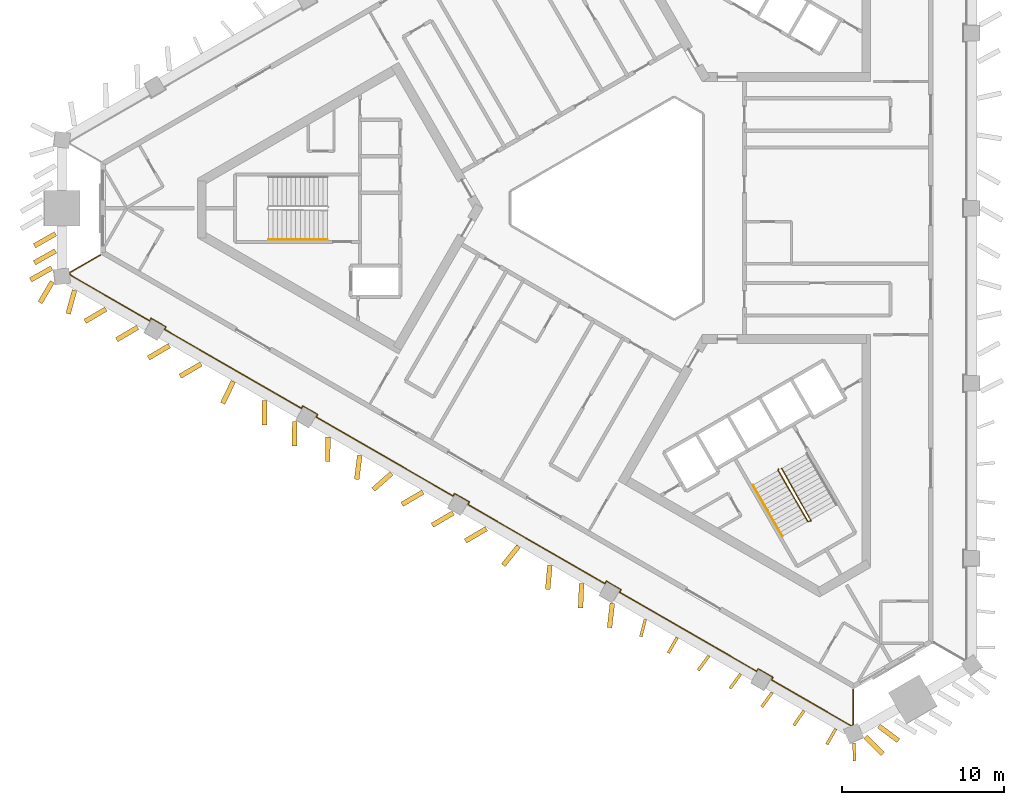
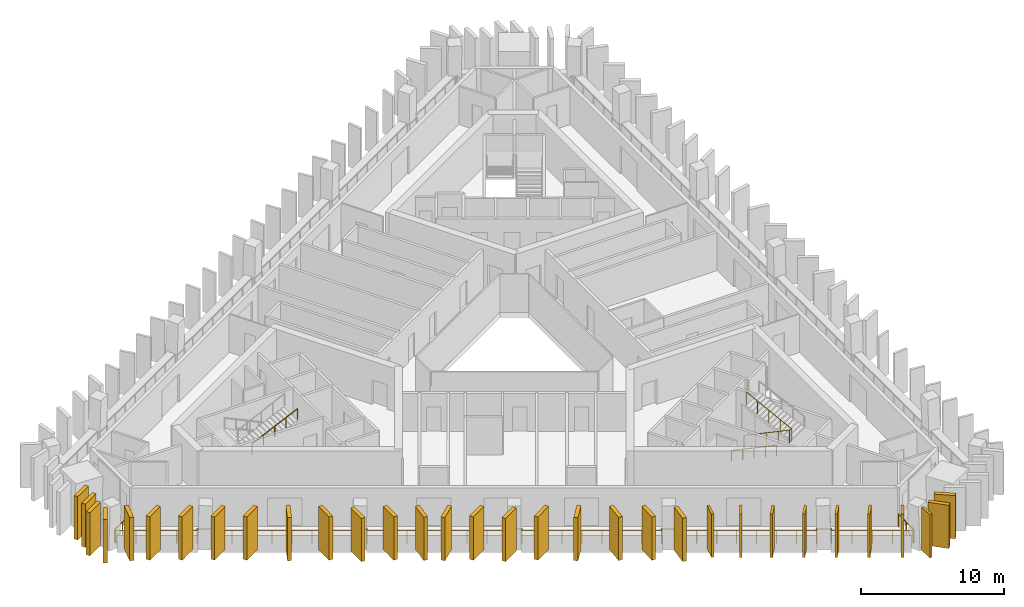
# One storey, part 8 of 10: 32 shading devices, 4 railings.
"""IFC4 building model written with IfcOpenShell, lengths in metres."""

import ifcopenshell
import ifcopenshell.guid

model = None  # the IFC model being written
_history = None  # IfcOwnerHistory: only IFC2X3 demands one
_inside = {}  # id of a spatial element -> (the spatial element, [elements in it])
_under = {}  # id of a project, library or spatial element -> (it, [spatial elements below it])
_declared = {}  # id of a project -> (the project, [libraries it declares])
_typed = {}  # id of a type object -> (the type object, [elements of that type])
_made_of = {}  # id of a material, layer set ... -> (it, [elements and type objects made of it])


def new_model(schema):
    """Start an empty IFC model of exactly this schema.

    Asked for "IFC4X3", IfcOpenShell would pick the latest addendum, in which some entities
    have other attributes; the version numbers below select the first issue.
    IFC2X3 requires an IfcOwnerHistory on every rooted entity: one is made here for all.
    """
    global model, _history
    if schema == "IFC4X3":
        model = ifcopenshell.file(schema_version=(4, 3, 0, 0))
    else:
        model = ifcopenshell.file(schema=schema)
    _inside.clear()
    _under.clear()
    _declared.clear()
    _typed.clear()
    _made_of.clear()
    _history = None
    if model.schema == "IFC2X3":
        org = make("IfcOrganization", Name="unknown")
        user = make(
            "IfcPersonAndOrganization",
            ThePerson=make("IfcPerson", FamilyName="unknown"),
            TheOrganization=org,
        )
        app = make(
            "IfcApplication",
            ApplicationDeveloper=org,
            Version="unknown",
            ApplicationFullName="unknown",
            ApplicationIdentifier="unknown",
        )
        _history = make(
            "IfcOwnerHistory",
            OwningUser=user,
            OwningApplication=app,
            ChangeAction="ADDED",
            CreationDate=0,
        )
    return model


def make(cls, **values):
    """One entity of the class cls with the attributes given. An attribute that is None is left unset."""
    return model.create_entity(
        cls, **{name: value for name, value in values.items() if value is not None}
    )


def rooted(cls, **values):
    """An entity with a GlobalId (a new one), such as an element, a storey or a relation."""
    return make(cls, GlobalId=ifcopenshell.guid.new(), OwnerHistory=_history, **values)


def si_unit(unit_type, name, prefix=None):
    """IfcSIUnit, for example si_unit("LENGTHUNIT", "METRE", prefix="MILLI")."""
    return make("IfcSIUnit", UnitType=unit_type, Prefix=prefix, Name=name)


def assignment(units):
    """IfcUnitAssignment: the units of a project."""
    return None if units is None else make("IfcUnitAssignment", Units=units)


def point(xyz):
    """IfcCartesianPoint."""
    return None if xyz is None else make("IfcCartesianPoint", Coordinates=xyz)


def direction(xyz):
    """IfcDirection."""
    return None if xyz is None else make("IfcDirection", DirectionRatios=xyz)


def frame(location, z_axis=None, x_axis=None):
    """IfcAxis2Placement3D, a coordinate frame: its origin and axes. An axis left out is left unset."""
    return make(
        "IfcAxis2Placement3D",
        Location=point(location),
        Axis=direction(z_axis),
        RefDirection=direction(x_axis),
    )


def frame_2d(location, x_axis=None):
    """IfcAxis2Placement2D, a coordinate frame in the plane: its origin and x axis."""
    return make(
        "IfcAxis2Placement2D", Location=point(location), RefDirection=direction(x_axis)
    )


def origin():
    """The frame at (0, 0, 0) with its axes left unset."""
    return frame((0.0, 0.0, 0.0))


def origin_2d():
    """The frame at (0, 0) in the plane with its x axis left unset."""
    return frame_2d((0.0, 0.0))


def place(relative_to, where):
    """IfcLocalPlacement: puts the frame where relative to a parent placement (None: the world)."""
    return make(
        "IfcLocalPlacement", PlacementRelTo=relative_to, RelativePlacement=where
    )


def context(
    kind, dimensions, precision=None, world=None, true_north=None, identifier=None
):
    """IfcGeometricRepresentationContext, for example the 3D "Model" context."""
    return make(
        "IfcGeometricRepresentationContext",
        ContextIdentifier=identifier,
        ContextType=kind,
        CoordinateSpaceDimension=dimensions,
        Precision=precision,
        WorldCoordinateSystem=world,
        TrueNorth=true_north,
    )


def subcontext(parent, identifier, kind, view, scale=None):
    """IfcGeometricRepresentationSubContext, for example "Body" below "Model"."""
    return make(
        "IfcGeometricRepresentationSubContext",
        ContextIdentifier=identifier,
        ContextType=kind,
        ParentContext=parent,
        TargetScale=scale,
        TargetView=view,
    )


def project(units=None, contexts=None):
    """IfcProject with its units and contexts."""
    return rooted(
        "IfcProject",
        Name="project",
        RepresentationContexts=contexts,
        UnitsInContext=assignment(units),
    )


def spatial(cls, under=None, at=None, **own):
    """A site, building, storey or space (cls), placed at a placement, below another one or the project."""
    s = rooted(cls, ObjectPlacement=at, **own)
    if under is not None:
        _under.setdefault(under.id(), (under, []))[1].append(s)
    return s


def profile(cls, at=None, kind="AREA", **sizes):
    """A parametric profile (cls). Its sizes go by their IFC names, for example OverallWidth=200.0."""
    return make(cls, ProfileType=kind, Position=at, **sizes)


def rectangle(**sizes):
    """IfcRectangleProfileDef."""
    return profile("IfcRectangleProfileDef", **sizes)


def circle(**sizes):
    """IfcCircleProfileDef."""
    return profile("IfcCircleProfileDef", **sizes)


def extrude(swept, where, along, depth):
    """IfcExtrudedAreaSolid: the profile swept, set in the frame where, extruded along a direction by depth."""
    return make(
        "IfcExtrudedAreaSolid",
        SweptArea=swept,
        Position=where,
        ExtrudedDirection=direction(along),
        Depth=depth,
    )


def shape(context_of_items, identifier, shape_type, items):
    """IfcShapeRepresentation: the items that make up one representation, for example the "Body"."""
    return make(
        "IfcShapeRepresentation",
        ContextOfItems=context_of_items,
        RepresentationIdentifier=identifier,
        RepresentationType=shape_type,
        Items=items,
    )


def material(Name=None, Category=None):
    """IfcMaterial."""
    return make("IfcMaterial", Name=Name, Category=Category)


def layer(
    of_material, thickness, ventilated=None, Name=None, Category=None, Priority=None
):
    """IfcMaterialLayer: one layer of a wall or slab, of a material (None: an air gap)."""
    return make(
        "IfcMaterialLayer",
        Material=of_material,
        LayerThickness=thickness,
        IsVentilated=ventilated,
        Name=Name,
        Category=Category,
        Priority=Priority,
    )


def layer_set(layers, Name=None):
    """IfcMaterialLayerSet."""
    return make("IfcMaterialLayerSet", MaterialLayers=layers, LayerSetName=Name)


def made_of(thing, what):
    """Note that an element or type object is made of a material, layer set ...; save() writes the relation."""
    if what is not None:
        _made_of.setdefault(what.id(), (what, []))[1].append(thing)
    return thing


def type_object(cls, material=None, **own):
    """A type object (cls), such as IfcWallType, which elements share."""
    return made_of(rooted(cls, **own), material)


def element(
    cls,
    number,
    at=None,
    inside=None,
    cuts=None,
    type_object=None,
    material=None,
    context=None,
    identifier="Body",
    shape_type=None,
    held_by="IfcProductDefinitionShape",
    body=None,
    shapes=None,
    **own,
):
    """One element of the class cls, such as IfcWall. Its Tag is "e" and its number.

    at: its placement. inside: the storey or other place that contains it. cuts: it is an
    opening in that element (IfcRelVoidsElement). A single representation is given by context,
    identifier, shape_type and body (its items); several are given by shapes. held_by: the class
    of the entity that holds the representations. save() writes the other relations.
    """
    e = rooted(cls, Tag="e%d" % number, ObjectPlacement=at, **own)
    if body is not None:
        shapes = [shape(context, identifier, shape_type, body)]
    if shapes is not None:
        e.Representation = make(held_by, Representations=shapes)
    if inside is not None:
        _inside.setdefault(inside.id(), (inside, []))[1].append(e)
    if cuts is not None:
        rooted(
            "IfcRelVoidsElement", RelatingBuildingElement=cuts, RelatedOpeningElement=e
        )
    if type_object is not None:
        _typed.setdefault(type_object.id(), (type_object, []))[1].append(e)
    return made_of(e, material)


def aggregate(whole, parts):
    """IfcRelAggregates: a whole, such as a stair, and the parts it consists of."""
    return rooted("IfcRelAggregates", RelatingObject=whole, RelatedObjects=parts)


def save(model, path):
    """Write the relations noted so far, then the file.

    IfcRelAggregates (storeys below a building ...), IfcRelContainedInSpatialStructure (elements
    in a storey), IfcRelDefinesByType, IfcRelAssociatesMaterial and IfcRelDeclares: one each for
    every whole, place, type object, material and project.
    """
    for whole, parts in _under.values():
        aggregate(whole, parts)
    for where, things in _inside.values():
        rooted(
            "IfcRelContainedInSpatialStructure",
            RelatedElements=things,
            RelatingStructure=where,
        )
    for kind, things in _typed.values():
        rooted("IfcRelDefinesByType", RelatedObjects=things, RelatingType=kind)
    for what, things in _made_of.values():
        rooted("IfcRelAssociatesMaterial", RelatedObjects=things, RelatingMaterial=what)
    for by, libraries in _declared.values():
        rooted("IfcRelDeclares", RelatingContext=by, RelatedDefinitions=libraries)
    model.write(path)


model = new_model("IFC4")

# Units and contexts
model_context = context("Model", 3, precision=1e-05, world=origin(), true_north=direction((0.0, 1.0)))
body_context = subcontext(model_context, "Body", "Model", "MODEL_VIEW")
ifc_project = project(units=[si_unit("LENGTHUNIT", "METRE"), si_unit("AREAUNIT", "SQUARE_METRE"), si_unit("VOLUMEUNIT", "CUBIC_METRE"), si_unit("PLANEANGLEUNIT", "RADIAN"), si_unit("MASSUNIT", "GRAM", prefix="KILO")], contexts=[model_context])

# Site, building, storey
site_placement = place(None, origin())
site = spatial("IfcSite", under=ifc_project, at=site_placement, CompositionType="ELEMENT")
building_placement = place(site_placement, origin())
building = spatial("IfcBuilding", under=site, at=building_placement, Name="Jabali Bay Hotel Tower and Convention Centre", CompositionType="ELEMENT")
storey_placement = place(building_placement, frame((0.0, 0.0, 174.800048828125)))
storey = spatial("IfcBuildingStorey", under=building, at=storey_placement, Name="L42", CompositionType="ELEMENT", Elevation=174.800048828125)

# Railing
ifc_material_1 = material(Name="Glass", Category="glass")
railing_type_1 = type_object("IfcRailingType", Name="Loggia glass guard 1100", PredefinedType="BALUSTRADE", material=ifc_material_1)
railing_1_placement = place(storey_placement, frame((88.79345703125, 50.35498046875, 0.0)))
element("IfcRailing", 1, at=railing_1_placement, inside=storey, type_object=railing_type_1, Name="Loggia glass guard L42", PredefinedType="BALUSTRADE", context=body_context, shape_type="SweptSolid", body=[
    extrude(circle(Radius=0.02490234375, at=origin_2d()), frame((0.0, 0.0, 1.0751953125), z_axis=(0.0, -1.0, 0.0), x_axis=(0.991444861374, 0.0, 0.13052619222)), (0.0, 0.0, 1.0), 2.19287109375),
    extrude(circle(Radius=0.02490234375, at=origin_2d()), frame((0.0, -2.19287109375, 1.0751953125), z_axis=(-0.9195450827, -0.39298453008, 0.0), x_axis=(0.389622492947, -0.911678247044, 0.13052619222)), (0.0, 0.0, 1.0), 0.126220703125),
    extrude(circle(Radius=0.02490234375, at=origin_2d()), frame((-0.115966796875, -2.242431640625, 1.0751953125), z_axis=(-0.866041520497, 0.499972083996, 0.0), x_axis=(-0.495694753509, -0.858632415233, 0.13052619222)), (0.0, 0.0, 1.0), 5.672119140625),
    extrude(circle(Radius=0.02490234375, at=origin_2d()), frame((-5.0283203125, 0.593505859375, 1.0751953125), z_axis=(0.500486622847, 0.865744269604, 0.0), x_axis=(-0.858337707362, 0.496204890408, 0.13052619222)), (0.0, 0.0, 1.0), 0.175048828125),
    extrude(circle(Radius=0.02490234375, at=origin_2d()), frame((-4.940673828125, 0.7451171875, 1.0751953125), z_axis=(-0.865988129768, 0.500064554934, 0.0), x_axis=(-0.495786433345, -0.858579481269, 0.13052619222)), (0.0, 0.0, 1.0), 1.050048828125),
    extrude(circle(Radius=0.02490234375, at=origin_2d()), frame((-5.85009765625, 1.270263671875, 1.0751953125), z_axis=(-0.499440622861, -0.866348119543, 0.0), x_axis=(0.858936391282, -0.495167839097, 0.13052619222)), (0.0, 0.0, 1.0), 0.175048828125),
    extrude(circle(Radius=0.02490234375, at=origin_2d()), frame((-5.9375, 1.11865234375, 1.0751953125), z_axis=(-0.866031653467, 0.499989175076, 0.0), x_axis=(-0.495711698372, -0.858622632617, 0.13052619222)), (0.0, 0.0, 1.0), 9.745849609375),
    extrude(circle(Radius=0.02490234375, at=origin_2d()), frame((-14.377685546875, 5.991455078125, 1.0751953125), z_axis=(0.499440622861, 0.866348119543, 0.0), x_axis=(-0.858936391282, 0.495167839097, 0.13052619222)), (0.0, 0.0, 1.0), 0.175048828125),
    extrude(circle(Radius=0.02490234375, at=origin_2d()), frame((-14.290283203125, 6.14306640625, 1.0751953125), z_axis=(-0.866030680601, 0.499990860175, 0.0), x_axis=(-0.495713369054, -0.858621668074, 0.13052619222)), (0.0, 0.0, 1.0), 1.0498046875),
    extrude(circle(Radius=0.02490234375, at=origin_2d()), frame((-15.199462890625, 6.66796875, 1.0751953125), z_axis=(-0.501091290591, -0.865394429433, 0.0), x_axis=(0.857990860123, -0.496804385136, 0.13052619222)), (0.0, 0.0, 1.0), 0.1748046875),
    extrude(circle(Radius=0.02490234375, at=origin_2d()), frame((-15.287109375, 6.5166015625, 1.0751953125), z_axis=(-0.866025390831, 0.500000022436, 0.0), x_axis=(-0.495722452931, -0.858616423559, 0.13052619222)), (0.0, 0.0, 1.0), 9.74560546875),
    extrude(circle(Radius=0.02490234375, at=origin_2d()), frame((-23.72705078125, 11.389404296875, 1.0751953125), z_axis=(0.499440622861, 0.866348119543, 0.0), x_axis=(-0.858936391282, 0.495167839097, 0.13052619222)), (0.0, 0.0, 1.0), 0.175048828125),
    extrude(circle(Radius=0.02490234375, at=origin_2d()), frame((-23.6396484375, 11.541015625, 1.0751953125), z_axis=(-0.866030680601, 0.499990860175, 0.0), x_axis=(-0.495713369054, -0.858621668074, 0.13052619222)), (0.0, 0.0, 1.0), 1.0498046875),
    extrude(circle(Radius=0.02490234375, at=origin_2d()), frame((-24.548828125, 12.06591796875, 1.0751953125), z_axis=(-0.500486622847, -0.865744269604, 0.0), x_axis=(0.858337707362, -0.496204890408, 0.13052619222)), (0.0, 0.0, 1.0), 0.175048828125),
    extrude(circle(Radius=0.02490234375, at=origin_2d()), frame((-24.636474609375, 11.914306640625, 1.0751953125), z_axis=(-0.866020806236, 0.500007963104, 0.0), x_axis=(-0.495730325665, -0.858611878185, 0.13052619222)), (0.0, 0.0, 1.0), 9.745849609375),
    extrude(circle(Radius=0.02490234375, at=origin_2d()), frame((-33.07666015625, 16.787353515625, 1.0751953125), z_axis=(0.500486622847, 0.865744269604, 0.0), x_axis=(-0.858337707362, 0.496204890408, 0.13052619222)), (0.0, 0.0, 1.0), 0.175048828125),
    extrude(circle(Radius=0.02490234375, at=origin_2d()), frame((-32.989013671875, 16.93896484375, 1.0751953125), z_axis=(-0.866088799389, 0.499890179513, 0.0), x_axis=(-0.495613549729, -0.858679289647, 0.13052619222)), (0.0, 0.0, 1.0), 1.050048828125),
    extrude(circle(Radius=0.02490234375, at=origin_2d()), frame((-33.8984375, 17.4638671875, 1.0751953125), z_axis=(-0.499440622861, -0.866348119543, 0.0), x_axis=(0.858936391282, -0.495167839097, 0.13052619222)), (0.0, 0.0, 1.0), 0.175048828125),
    extrude(circle(Radius=0.02490234375, at=origin_2d()), frame((-33.98583984375, 17.312255859375, 1.0751953125), z_axis=(-0.866020806236, 0.500007963104, 0.0), x_axis=(-0.495730325665, -0.858611878185, 0.13052619222)), (0.0, 0.0, 1.0), 9.745849609375),
    extrude(circle(Radius=0.02490234375, at=origin_2d()), frame((-42.426025390625, 22.185302734375, 1.0751953125), z_axis=(0.500044870432, 0.865999496279, 0.0), x_axis=(-0.858590750538, 0.495766917246, 0.13052619222)), (0.0, 0.0, 1.0), 0.1748046875),
    extrude(circle(Radius=0.02490234375, at=origin_2d()), frame((-42.338623046875, 22.336669921875, 1.0751953125), z_axis=(-0.86592997719, 0.500165247297, 0.0), x_axis=(-0.495886264271, -0.858521826194, 0.13052619222)), (0.0, 0.0, 1.0), 1.050048828125),
    extrude(circle(Radius=0.02490234375, at=origin_2d()), frame((-43.247802734375, 22.86181640625, 1.0751953125), z_axis=(-0.500486622847, -0.865744269604, 0.0), x_axis=(0.858337707362, -0.496204890408, 0.13052619222)), (0.0, 0.0, 1.0), 0.175048828125),
    extrude(circle(Radius=0.02490234375, at=origin_2d()), frame((-43.33544921875, 22.710205078125, 1.0751953125), z_axis=(-0.866030760678, 0.499990721473, 0.0), x_axis=(-0.495713231539, -0.858621747466, 0.13052619222)), (0.0, 0.0, 1.0), 5.671875),
    extrude(circle(Radius=0.02490234375, at=origin_2d()), frame((-48.24755859375, 25.546142578125, 1.0751953125), z_axis=(-0.117850030494, 0.993031404495, 0.0), x_axis=(-0.984535883169, -0.116841807147, 0.13052619222)), (0.0, 0.0, 1.0), 0.12646484375),
    extrude(circle(Radius=0.02490234375, at=origin_2d()), frame((-48.262451171875, 25.671630859375, 1.0751953125), z_axis=(0.866055796367, 0.499947354807, 0.0), x_axis=(-0.495670235881, 0.858646568971, 0.13052619222)), (0.0, 0.0, 1.0), 2.192626953125),
    extrude(circle(Radius=0.02001953125, at=origin_2d()), origin(), (0.0, 0.0, 1.0), 1.050048828125),
    extrude(circle(Radius=0.02001953125, at=origin_2d()), frame((0.0, -1.096435546875, 0.0)), (0.0, 0.0, 1.0), 1.050048828125),
    extrude(circle(Radius=0.02001953125, at=origin_2d()), frame((0.0, -2.19287109375, 0.0)), (0.0, 0.0, 1.0), 1.050048828125),
    extrude(circle(Radius=0.02001953125, at=origin_2d()), frame((-0.115966796875, -2.242431640625, 0.0)), (0.0, 0.0, 1.0), 1.050048828125),
    extrude(circle(Radius=0.02001953125, at=origin_2d()), frame((-1.343994140625, -1.533447265625, 0.0)), (0.0, 0.0, 1.0), 1.050048828125),
    extrude(circle(Radius=0.02001953125, at=origin_2d()), frame((-2.572265625, -0.824462890625, 0.0)), (0.0, 0.0, 1.0), 1.050048828125),
    extrude(circle(Radius=0.02001953125, at=origin_2d()), frame((-3.80029296875, -0.115478515625, 0.0)), (0.0, 0.0, 1.0), 1.050048828125),
    extrude(circle(Radius=0.02001953125, at=origin_2d()), frame((-5.0283203125, 0.593505859375, 0.0)), (0.0, 0.0, 1.0), 1.050048828125),
    extrude(circle(Radius=0.02001953125, at=origin_2d()), frame((-4.940673828125, 0.7451171875, 0.0)), (0.0, 0.0, 1.0), 1.050048828125),
    extrude(circle(Radius=0.02001953125, at=origin_2d()), frame((-5.85009765625, 1.270263671875, 0.0)), (0.0, 0.0, 1.0), 1.050048828125),
    extrude(circle(Radius=0.02001953125, at=origin_2d()), frame((-5.9375, 1.11865234375, 0.0)), (0.0, 0.0, 1.0), 1.050048828125),
    extrude(circle(Radius=0.02001953125, at=origin_2d()), frame((-7.143310546875, 1.814697265625, 0.0)), (0.0, 0.0, 1.0), 1.050048828125),
    extrude(circle(Radius=0.02001953125, at=origin_2d()), frame((-8.348876953125, 2.510986328125, 0.0)), (0.0, 0.0, 1.0), 1.050048828125),
    extrude(circle(Radius=0.02001953125, at=origin_2d()), frame((-9.5546875, 3.20703125, 0.0)), (0.0, 0.0, 1.0), 1.050048828125),
    extrude(circle(Radius=0.02001953125, at=origin_2d()), frame((-10.760498046875, 3.903076171875, 0.0)), (0.0, 0.0, 1.0), 1.050048828125),
    extrude(circle(Radius=0.02001953125, at=origin_2d()), frame((-11.96630859375, 4.59912109375, 0.0)), (0.0, 0.0, 1.0), 1.050048828125),
    extrude(circle(Radius=0.02001953125, at=origin_2d()), frame((-13.171875, 5.29541015625, 0.0)), (0.0, 0.0, 1.0), 1.050048828125),
    extrude(circle(Radius=0.02001953125, at=origin_2d()), frame((-14.377685546875, 5.991455078125, 0.0)), (0.0, 0.0, 1.0), 1.050048828125),
    extrude(circle(Radius=0.02001953125, at=origin_2d()), frame((-14.290283203125, 6.14306640625, 0.0)), (0.0, 0.0, 1.0), 1.050048828125),
    extrude(circle(Radius=0.02001953125, at=origin_2d()), frame((-15.199462890625, 6.66796875, 0.0)), (0.0, 0.0, 1.0), 1.050048828125),
    extrude(circle(Radius=0.02001953125, at=origin_2d()), frame((-15.287109375, 6.5166015625, 0.0)), (0.0, 0.0, 1.0), 1.050048828125),
    extrude(circle(Radius=0.02001953125, at=origin_2d()), frame((-16.492919921875, 7.212646484375, 0.0)), (0.0, 0.0, 1.0), 1.050048828125),
    extrude(circle(Radius=0.02001953125, at=origin_2d()), frame((-17.698486328125, 7.908935546875, 0.0)), (0.0, 0.0, 1.0), 1.050048828125),
    extrude(circle(Radius=0.02001953125, at=origin_2d()), frame((-18.904296875, 8.60498046875, 0.0)), (0.0, 0.0, 1.0), 1.050048828125),
    extrude(circle(Radius=0.02001953125, at=origin_2d()), frame((-20.10986328125, 9.301025390625, 0.0)), (0.0, 0.0, 1.0), 1.050048828125),
    extrude(circle(Radius=0.02001953125, at=origin_2d()), frame((-21.315673828125, 9.9970703125, 0.0)), (0.0, 0.0, 1.0), 1.050048828125),
    extrude(circle(Radius=0.02001953125, at=origin_2d()), frame((-22.521240234375, 10.693359375, 0.0)), (0.0, 0.0, 1.0), 1.050048828125),
    extrude(circle(Radius=0.02001953125, at=origin_2d()), frame((-23.72705078125, 11.389404296875, 0.0)), (0.0, 0.0, 1.0), 1.050048828125),
    extrude(circle(Radius=0.02001953125, at=origin_2d()), frame((-23.6396484375, 11.541015625, 0.0)), (0.0, 0.0, 1.0), 1.050048828125),
    extrude(circle(Radius=0.02001953125, at=origin_2d()), frame((-24.548828125, 12.06591796875, 0.0)), (0.0, 0.0, 1.0), 1.050048828125),
    extrude(circle(Radius=0.02001953125, at=origin_2d()), frame((-24.636474609375, 11.914306640625, 0.0)), (0.0, 0.0, 1.0), 1.050048828125),
    extrude(circle(Radius=0.02001953125, at=origin_2d()), frame((-25.84228515625, 12.6103515625, 0.0)), (0.0, 0.0, 1.0), 1.050048828125),
    extrude(circle(Radius=0.02001953125, at=origin_2d()), frame((-27.0478515625, 13.306640625, 0.0)), (0.0, 0.0, 1.0), 1.050048828125),
    extrude(circle(Radius=0.02001953125, at=origin_2d()), frame((-28.253662109375, 14.002685546875, 0.0)), (0.0, 0.0, 1.0), 1.050048828125),
    extrude(circle(Radius=0.02001953125, at=origin_2d()), frame((-29.45947265625, 14.698974609375, 0.0)), (0.0, 0.0, 1.0), 1.050048828125),
    extrude(circle(Radius=0.02001953125, at=origin_2d()), frame((-30.665283203125, 15.39501953125, 0.0)), (0.0, 0.0, 1.0), 1.050048828125),
    extrude(circle(Radius=0.02001953125, at=origin_2d()), frame((-31.870849609375, 16.09130859375, 0.0)), (0.0, 0.0, 1.0), 1.050048828125),
    extrude(circle(Radius=0.02001953125, at=origin_2d()), frame((-33.07666015625, 16.787353515625, 0.0)), (0.0, 0.0, 1.0), 1.050048828125),
    extrude(circle(Radius=0.02001953125, at=origin_2d()), frame((-32.989013671875, 16.93896484375, 0.0)), (0.0, 0.0, 1.0), 1.050048828125),
    extrude(circle(Radius=0.02001953125, at=origin_2d()), frame((-33.8984375, 17.4638671875, 0.0)), (0.0, 0.0, 1.0), 1.050048828125),
    extrude(circle(Radius=0.02001953125, at=origin_2d()), frame((-33.98583984375, 17.312255859375, 0.0)), (0.0, 0.0, 1.0), 1.050048828125),
    extrude(circle(Radius=0.02001953125, at=origin_2d()), frame((-35.191650390625, 18.00830078125, 0.0)), (0.0, 0.0, 1.0), 1.050048828125),
    extrude(circle(Radius=0.02001953125, at=origin_2d()), frame((-36.397216796875, 18.70458984375, 0.0)), (0.0, 0.0, 1.0), 1.050048828125),
    extrude(circle(Radius=0.02001953125, at=origin_2d()), frame((-37.60302734375, 19.400634765625, 0.0)), (0.0, 0.0, 1.0), 1.050048828125),
    extrude(circle(Radius=0.02001953125, at=origin_2d()), frame((-38.808837890625, 20.096923828125, 0.0)), (0.0, 0.0, 1.0), 1.050048828125),
    extrude(circle(Radius=0.02001953125, at=origin_2d()), frame((-40.0146484375, 20.79296875, 0.0)), (0.0, 0.0, 1.0), 1.050048828125),
    extrude(circle(Radius=0.02001953125, at=origin_2d()), frame((-41.22021484375, 21.4892578125, 0.0)), (0.0, 0.0, 1.0), 1.050048828125),
    extrude(circle(Radius=0.02001953125, at=origin_2d()), frame((-42.426025390625, 22.185302734375, 0.0)), (0.0, 0.0, 1.0), 1.050048828125),
    extrude(circle(Radius=0.02001953125, at=origin_2d()), frame((-42.338623046875, 22.336669921875, 0.0)), (0.0, 0.0, 1.0), 1.050048828125),
    extrude(circle(Radius=0.02001953125, at=origin_2d()), frame((-43.247802734375, 22.86181640625, 0.0)), (0.0, 0.0, 1.0), 1.050048828125),
    extrude(circle(Radius=0.02001953125, at=origin_2d()), frame((-43.33544921875, 22.710205078125, 0.0)), (0.0, 0.0, 1.0), 1.050048828125),
    extrude(circle(Radius=0.02001953125, at=origin_2d()), frame((-44.5634765625, 23.419189453125, 0.0)), (0.0, 0.0, 1.0), 1.050048828125),
    extrude(circle(Radius=0.02001953125, at=origin_2d()), frame((-45.79150390625, 24.128173828125, 0.0)), (0.0, 0.0, 1.0), 1.050048828125),
    extrude(circle(Radius=0.02001953125, at=origin_2d()), frame((-47.01953125, 24.837158203125, 0.0)), (0.0, 0.0, 1.0), 1.050048828125),
    extrude(circle(Radius=0.02001953125, at=origin_2d()), frame((-48.24755859375, 25.546142578125, 0.0)), (0.0, 0.0, 1.0), 1.050048828125),
    extrude(circle(Radius=0.02001953125, at=origin_2d()), frame((-48.262451171875, 25.671630859375, 0.0)), (0.0, 0.0, 1.0), 1.050048828125),
    extrude(circle(Radius=0.02001953125, at=origin_2d()), frame((-47.31298828125, 26.2197265625, 0.0)), (0.0, 0.0, 1.0), 1.050048828125),
    extrude(circle(Radius=0.02001953125, at=origin_2d()), frame((-46.363525390625, 26.767822265625, 0.0)), (0.0, 0.0, 1.0), 1.050048828125),
])

# Shading devices
ifc_material_2 = material(Name="Precast concrete C60", Category="concrete")
ifc_layer_1 = layer(ifc_material_2, 0.179931640625)
ifc_layer_set_1 = layer_set([ifc_layer_1], Name="Precast concrete C60")
shading_device_type_1 = type_object("IfcShadingDeviceType", Name="Precast fin 3680 x 1100", PredefinedType="USERDEFINED", material=ifc_layer_set_1)
shading_device_1_placement = place(storey_placement, frame((75.993896484375, 54.666015625, 0.010009765625), z_axis=(0.0, 0.0, 1.0), x_axis=(-0.252810401879, -0.967515840026, 0.0)))
element("IfcShadingDevice", 2, at=shading_device_1_placement, inside=storey, type_object=shading_device_type_1, Name="Fin L42 084", ObjectType="FIN", PredefinedType="USERDEFINED", context=body_context, shape_type="SweptSolid", body=[
    extrude(rectangle(XDim=1.099853515625, YDim=0.179931640625, at=frame_2d((0.5498046875, 0.0))), origin(), (0.0, 0.0, 1.0), 3.679931640625),
])
shading_device_2_placement = place(storey_placement, frame((77.9580078125, 53.55908203125, 0.010009765625), z_axis=(0.0, 0.0, 1.0), x_axis=(-0.495804290807, -0.868434283764, 0.0)))
element("IfcShadingDevice", 3, at=shading_device_2_placement, inside=storey, type_object=shading_device_type_1, Name="Fin L42 085", ObjectType="FIN", PredefinedType="USERDEFINED", context=body_context, shape_type="SweptSolid", body=[
    extrude(rectangle(XDim=1.10009765625, YDim=0.179931640625, at=frame_2d((0.550048828125, 0.0))), origin(), (0.0, 0.0, 1.0), 3.679931640625),
])
shading_device_3_placement = place(storey_placement, frame((79.906005859375, 52.423828125, 0.010009765625), z_axis=(0.0, 0.0, 1.0), x_axis=(-0.589292908967, -0.807919468414, 0.0)))
element("IfcShadingDevice", 4, at=shading_device_3_placement, inside=storey, type_object=shading_device_type_1, Name="Fin L42 086", ObjectType="FIN", PredefinedType="USERDEFINED", context=body_context, shape_type="SweptSolid", body=[
    extrude(rectangle(XDim=1.099853515625, YDim=0.179931640625, at=frame_2d((0.5498046875, 0.0))), origin(), (0.0, 0.0, 1.0), 3.679931640625),
])
shading_device_4_placement = place(storey_placement, frame((81.8583984375, 51.296142578125, 0.010009765625), z_axis=(0.0, 0.0, 1.0), x_axis=(-0.593267174379, -0.805005627188, 0.0)))
element("IfcShadingDevice", 5, at=shading_device_4_placement, inside=storey, type_object=shading_device_type_1, Name="Fin L42 087", ObjectType="FIN", PredefinedType="USERDEFINED", context=body_context, shape_type="SweptSolid", body=[
    extrude(rectangle(XDim=1.10009765625, YDim=0.179931640625, at=frame_2d((0.550048828125, 0.0))), origin(), (0.0, 0.0, 1.0), 3.679931640625),
])
for number, where, z_axis, x_axis, name in (
    (6, (83.81103515625, 50.169189453125, 0.010009765625), (0.0, 0.0, 1.0), (-0.589292908967, -0.807919468414, 0.0), "Fin L42 088"),
    (7, (85.764892578125, 49.044189453125, 0.010009765625), (0.0, 0.0, 1.0), (-0.56510556244, -0.825018607851, 0.0), "Fin L42 089"),
    (8, (87.720947265625, 47.9228515625, 0.010009765625), (0.0, 0.0, 1.0), (-0.500125958508, -0.865952669392, 0.0), "Fin L42 090"),
    (9, (88.843505859375, 47.061279296875, 0.010009765625), (0.0, 0.0, 1.0), (0.03729079269, -0.9993044565, 0.0), "Fin L42 104"),
):
    element("IfcShadingDevice", number, at=place(storey_placement, frame(where, z_axis=z_axis, x_axis=x_axis)), inside=storey, type_object=shading_device_type_1, Name=name, ObjectType="FIN", PredefinedType="USERDEFINED", context=body_context, shape_type="SweptSolid", body=[
        extrude(rectangle(XDim=1.099853515625, YDim=0.179931640625, at=frame_2d((0.5498046875, 0.0))), origin(), (0.0, 0.0, 1.0), 3.679931640625),
    ])
ifc_layer_2 = layer(ifc_material_2, 0.300048828125)
ifc_layer_set_2 = layer_set([ifc_layer_2], Name="Precast concrete C60")
shading_device_type_2 = type_object("IfcShadingDeviceType", Name="Precast fin 3680 x 1500", PredefinedType="USERDEFINED", material=ifc_layer_set_2)
for number, where, z_axis, x_axis, name in (
    (10, (39.669189453125, 78.423095703125, 0.010009765625), (0.0, 0.0, 1.0), (-0.869831289423, -0.493349296078, 0.0), "Fin L42 063"),
    (11, (39.669189453125, 77.371826171875, 0.010009765625), (0.0, 0.0, 1.0), (-0.869831289423, -0.493349296078, 0.0), "Fin L42 064"),
    (12, (39.430419921875, 76.320556640625, 0.010009765625), (0.0, 0.0, 1.0), (-0.869831289423, -0.493349296078, 0.0), "Fin L42 065"),
):
    element("IfcShadingDevice", number, at=place(storey_placement, frame(where, z_axis=z_axis, x_axis=x_axis)), inside=storey, type_object=shading_device_type_2, Name=name, ObjectType="FIN", PredefinedType="USERDEFINED", context=body_context, shape_type="SweptSolid", body=[
        extrude(rectangle(XDim=1.5, YDim=0.300048828125, at=frame_2d((0.75, 0.0))), origin(), (0.0, 0.0, 1.0), 3.679931640625),
    ])
shading_device_5_placement = place(storey_placement, frame((40.841064453125, 74.9453125, 0.010009765625), z_axis=(0.0, 0.0, 1.0), x_axis=(-0.265485611161, -0.964114822138, 0.0)))
element("IfcShadingDevice", 13, at=shading_device_5_placement, inside=storey, type_object=shading_device_type_2, Name="Fin L42 066", ObjectType="FIN", PredefinedType="USERDEFINED", context=body_context, shape_type="SweptSolid", body=[
    extrude(rectangle(XDim=1.499755859375, YDim=0.300048828125, at=frame_2d((0.75, 0.0))), origin(), (0.0, 0.0, 1.0), 3.679931640625),
])
for number, where, z_axis, x_axis, name in (
    (14, (42.775634765625, 73.786865234375, 0.010009765625), (0.0, 0.0, 1.0), (-0.862139163582, -0.506671552998, 0.0), "Fin L42 067"),
    (15, (44.72802734375, 72.659423828125, 0.010009765625), (0.0, 0.0, 1.0), (-0.862139163582, -0.506671552998, 0.0), "Fin L42 068"),
    (16, (46.6806640625, 71.5322265625, 0.010009765625), (0.0, 0.0, 1.0), (-0.862139163582, -0.506671552998, 0.0), "Fin L42 069"),
    (17, (48.63330078125, 70.40478515625, 0.010009765625), (0.0, 0.0, 1.0), (-0.862252015738, -0.506479477723, 0.0), "Fin L42 070"),
    (18, (50.6171875, 69.33203125, 0.010009765625), (0.0, 0.0, 1.0), (-0.434735410784, -0.900558228329, 0.0), "Fin L42 071"),
):
    element("IfcShadingDevice", number, at=place(storey_placement, frame(where, z_axis=z_axis, x_axis=x_axis)), inside=storey, type_object=shading_device_type_2, Name=name, ObjectType="FIN", PredefinedType="USERDEFINED", context=body_context, shape_type="SweptSolid", body=[
        extrude(rectangle(XDim=1.5, YDim=0.300048828125, at=frame_2d((0.75, 0.0))), origin(), (0.0, 0.0, 1.0), 3.679931640625),
    ])
shading_device_6_placement = place(storey_placement, frame((52.538330078125, 68.150146484375, 0.010009765625), z_axis=(0.0, 0.0, 1.0), x_axis=(-0.007650760936, -0.9999707325, 0.0)))
element("IfcShadingDevice", 19, at=shading_device_6_placement, inside=storey, type_object=shading_device_type_2, Name="Fin L42 072", ObjectType="FIN", PredefinedType="USERDEFINED", context=body_context, shape_type="SweptSolid", body=[
    extrude(rectangle(XDim=1.499755859375, YDim=0.300048828125, at=frame_2d((0.75, 0.0))), origin(), (0.0, 0.0, 1.0), 3.679931640625),
])
for number, where, z_axis, x_axis, name in (
    (20, (54.399658203125, 66.864990234375, 0.010009765625), (0.0, 0.0, 1.0), (-0.007649515767, -0.999970742026, 0.0), "Fin L42 073"),
    (21, (56.443359375, 65.895751953125, 0.010009765625), (0.0, 0.0, 1.0), (-0.007649515767, -0.999970742026, 0.0), "Fin L42 074"),
):
    element("IfcShadingDevice", number, at=place(storey_placement, frame(where, z_axis=z_axis, x_axis=x_axis)), inside=storey, type_object=shading_device_type_2, Name=name, ObjectType="FIN", PredefinedType="USERDEFINED", context=body_context, shape_type="SweptSolid", body=[
        extrude(rectangle(XDim=1.5, YDim=0.300048828125, at=frame_2d((0.75, 0.0))), origin(), (0.0, 0.0, 1.0), 3.679931640625),
    ])
shading_device_7_placement = place(storey_placement, frame((58.403564453125, 64.78173828125, 0.010009765625), z_axis=(0.0, 0.0, 1.0), x_axis=(-0.122572098982, -0.992459611547, 0.0)))
element("IfcShadingDevice", 22, at=shading_device_7_placement, inside=storey, type_object=shading_device_type_2, Name="Fin L42 075", ObjectType="FIN", PredefinedType="USERDEFINED", context=body_context, shape_type="SweptSolid", body=[
    extrude(rectangle(XDim=1.499755859375, YDim=0.300048828125, at=frame_2d((0.75, 0.0))), origin(), (0.0, 0.0, 1.0), 3.679931640625),
])
for number, where, z_axis, x_axis, name in (
    (23, (60.36181640625, 63.6640625, 0.010009765625), (0.0, 0.0, 1.0), (-0.747777406785, -0.663949508549, 0.0), "Fin L42 076"),
    (24, (62.301025390625, 62.513671875, 0.010009765625), (0.0, 0.0, 1.0), (-0.862210257959, -0.506550561218, 0.0), "Fin L42 077"),
):
    element("IfcShadingDevice", number, at=place(storey_placement, frame(where, z_axis=z_axis, x_axis=x_axis)), inside=storey, type_object=shading_device_type_2, Name=name, ObjectType="FIN", PredefinedType="USERDEFINED", context=body_context, shape_type="SweptSolid", body=[
        extrude(rectangle(XDim=1.5, YDim=0.300048828125, at=frame_2d((0.75, 0.0))), origin(), (0.0, 0.0, 1.0), 3.679931640625),
    ])
shading_device_8_placement = place(storey_placement, frame((64.162353515625, 61.228515625, 0.010009765625), z_axis=(0.0, 0.0, 1.0), x_axis=(-0.862068063956, -0.50679251485, 0.0)))
element("IfcShadingDevice", 25, at=shading_device_8_placement, inside=storey, type_object=shading_device_type_2, Name="Fin L42 078", ObjectType="FIN", PredefinedType="USERDEFINED", context=body_context, shape_type="SweptSolid", body=[
    extrude(rectangle(XDim=1.500244140625, YDim=0.300048828125, at=frame_2d((0.75, 0.0))), origin(), (0.0, 0.0, 1.0), 3.679931640625),
])
for number, where, z_axis, x_axis, name in (
    (26, (66.2060546875, 60.25927734375, 0.010009765625), (0.0, 0.0, 1.0), (-0.861955134203, -0.506984562508, 0.0), "Fin L42 079"),
    (27, (68.184326171875, 59.176513671875, 0.010009765625), (0.0, 0.0, 1.0), (-0.6246553503, -0.780900565592, 0.0), "Fin L42 080"),
):
    element("IfcShadingDevice", number, at=place(storey_placement, frame(where, z_axis=z_axis, x_axis=x_axis)), inside=storey, type_object=shading_device_type_2, Name=name, ObjectType="FIN", PredefinedType="USERDEFINED", context=body_context, shape_type="SweptSolid", body=[
        extrude(rectangle(XDim=1.5, YDim=0.300048828125, at=frame_2d((0.75, 0.0))), origin(), (0.0, 0.0, 1.0), 3.679931640625),
    ])
shading_device_9_placement = place(storey_placement, frame((70.116455078125, 58.013916015625, 0.010009765625), z_axis=(0.0, 0.0, 1.0), x_axis=(-0.088877146163, -0.996042595921, 0.0)))
element("IfcShadingDevice", 28, at=shading_device_9_placement, inside=storey, type_object=shading_device_type_2, Name="Fin L42 081", ObjectType="FIN", PredefinedType="USERDEFINED", context=body_context, shape_type="SweptSolid", body=[
    extrude(rectangle(XDim=1.499755859375, YDim=0.300048828125, at=frame_2d((0.75, 0.0))), origin(), (0.0, 0.0, 1.0), 3.679931640625),
])
for number, where, z_axis, x_axis, name in (
    (29, (72.065673828125, 56.880859375, 0.010009765625), (0.0, 0.0, 1.0), (-0.039389508322, -0.999223932176, 0.0), "Fin L42 082"),
    (30, (73.96240234375, 55.656982421875, 0.010009765625), (0.0, 0.0, 1.0), (-0.114414073255, -0.993433148149, 0.0), "Fin L42 083"),
):
    element("IfcShadingDevice", number, at=place(storey_placement, frame(where, z_axis=z_axis, x_axis=x_axis)), inside=storey, type_object=shading_device_type_2, Name=name, ObjectType="FIN", PredefinedType="USERDEFINED", context=body_context, shape_type="SweptSolid", body=[
        extrude(rectangle(XDim=1.5, YDim=0.300048828125, at=frame_2d((0.75, 0.0))), origin(), (0.0, 0.0, 1.0), 3.679931640625),
    ])
shading_device_10_placement = place(storey_placement, frame((89.547607421875, 47.444091796875, 0.010009765625), z_axis=(0.0, 0.0, 1.0), x_axis=(0.709057409424, -0.705150757031, 0.0)))
element("IfcShadingDevice", 31, at=shading_device_10_placement, inside=storey, type_object=shading_device_type_2, Name="Fin L42 091", ObjectType="FIN", PredefinedType="USERDEFINED", context=body_context, shape_type="SweptSolid", body=[
    extrude(rectangle(XDim=1.499755859375, YDim=0.300048828125, at=frame_2d((0.75, 0.0))), origin(), (0.0, 0.0, 1.0), 3.679931640625),
])
for number, where, z_axis, x_axis, name in (
    (32, (90.381591796875, 48.10205078125, 0.010009765625), (0.0, 0.0, 1.0), (0.798474038445, -0.602029243418, 0.0), "Fin L42 092"),
    (33, (39.470458984375, 75.471923828125, 0.010009765625), (0.0, 0.0, 1.0), (-0.506550561218, -0.862210257959, 0.0), "Fin L42 103"),
):
    element("IfcShadingDevice", number, at=place(storey_placement, frame(where, z_axis=z_axis, x_axis=x_axis)), inside=storey, type_object=shading_device_type_2, Name=name, ObjectType="FIN", PredefinedType="USERDEFINED", context=body_context, shape_type="SweptSolid", body=[
        extrude(rectangle(XDim=1.5, YDim=0.300048828125, at=frame_2d((0.75, 0.0))), origin(), (0.0, 0.0, 1.0), 3.679931640625),
    ])

# Railings
ifc_material_3 = material(Name="Steel Q355B", Category="steel")
railing_type_2 = type_object("IfcRailingType", Name="Stair guard 1100", PredefinedType="GUARDRAIL", material=ifc_material_3)
railing_2_placement = place(storey_placement, frame((84.199951171875, 63.9150390625, 0.0)))
element("IfcRailing", 34, at=railing_2_placement, inside=storey, type_object=railing_type_2, Name="L42 ST3 stair guard 1", PredefinedType="GUARDRAIL", context=body_context, shape_type="SweptSolid", body=[
    extrude(circle(Radius=0.02392578125, at=origin_2d()), frame((0.0, 0.0, 1.076171875), z_axis=(-0.122196845461, -0.456201556387, 0.881446578591), x_axis=(0.965948051503, -0.258736085224, 0.0)), (0.0, 0.0, 1.0), 0.14990234375),
    extrude(circle(Radius=0.02392578125, at=origin_2d()), frame((-0.018310546875, -0.068359375, 1.2080078125), z_axis=(0.452190331055, -0.783190014029, 0.426775475427), x_axis=(0.866018046521, 0.500012742938, 0.0)), (0.0, 0.0, 1.0), 4.02490234375),
    extrude(circle(Radius=0.02392578125, at=origin_2d()), frame((1.8017578125, -3.220703125, 2.92578125), z_axis=(0.96121063429, 0.275815366736, 0.0), x_axis=(-0.275815366736, 0.96121063429, 0.0)), (0.0, 0.0, 1.0), 0.206298828125),
    extrude(circle(Radius=0.02392578125, at=origin_2d()), frame((2.0, -3.163818359375, 2.92578125), z_axis=(-0.436470229993, 0.780146179382, 0.448180406895), x_axis=(-0.872702246529, -0.488252792008, 0.0)), (0.0, 0.0, 1.0), 4.1279296875),
    extrude(circle(Radius=0.02099609375, at=origin_2d()), origin(), (0.0, 0.0, 1.0), 1.052001953125),
    extrude(circle(Radius=0.02099609375, at=origin_2d()), frame((-0.018310546875, -0.068359375, 0.132080078125)), (0.0, 0.0, 1.0), 1.052001953125),
    extrude(circle(Radius=0.02099609375, at=origin_2d()), frame((0.436767578125, -0.8564453125, 0.5615234375)), (0.0, 0.0, 1.0), 1.052001953125),
    extrude(circle(Radius=0.02099609375, at=origin_2d()), frame((0.8916015625, -1.64453125, 0.990966796875)), (0.0, 0.0, 1.0), 1.052001953125),
    extrude(circle(Radius=0.02099609375, at=origin_2d()), frame((1.3466796875, -2.4326171875, 1.42041015625)), (0.0, 0.0, 1.0), 1.052001953125),
    extrude(circle(Radius=0.02099609375, at=origin_2d()), frame((1.8017578125, -3.220703125, 1.849853515625)), (0.0, 0.0, 1.0), 1.052001953125),
    extrude(circle(Radius=0.02099609375, at=origin_2d()), frame((2.0, -3.163818359375, 1.849853515625)), (0.0, 0.0, 1.0), 1.052001953125),
    extrude(circle(Radius=0.02099609375, at=origin_2d()), frame((1.549560546875, -2.358642578125, 2.3125)), (0.0, 0.0, 1.0), 1.052001953125),
    extrude(circle(Radius=0.02099609375, at=origin_2d()), frame((1.09912109375, -1.5537109375, 2.77490234375)), (0.0, 0.0, 1.0), 1.052001953125),
    extrude(circle(Radius=0.02099609375, at=origin_2d()), frame((0.648681640625, -0.74853515625, 3.2373046875)), (0.0, 0.0, 1.0), 1.052001953125),
    extrude(circle(Radius=0.02099609375, at=origin_2d()), frame((0.1982421875, 0.056640625, 3.699951171875)), (0.0, 0.0, 1.0), 1.052001953125),
])
railing_type_3 = type_object("IfcRailingType", Name="Stair handrail 900", PredefinedType="HANDRAIL", material=ifc_material_3)
railing_3_placement = place(storey_placement, frame((52.780029296875, 78.074951171875, 1.982177734375)))
element("IfcRailing", 35, at=railing_3_placement, inside=storey, type_object=railing_type_3, Name="L42 ST1 stair handrail 2", PredefinedType="HANDRAIL", context=body_context, shape_type="SweptSolid", body=[
    extrude(circle(Radius=0.02392578125, at=origin_2d()), frame((0.0, 0.0, 0.8759765625), z_axis=(0.904350763662, 0.0, 0.426789990819), x_axis=(0.0, 1.0, 0.0)), (0.0, 0.0, 1.0), 4.02490234375),
    extrude(circle(Radius=0.02099609375, at=origin_2d()), origin(), (0.0, 0.0, 1.0), 0.851806640625),
    extrude(circle(Radius=0.02099609375, at=origin_2d()), frame((0.909912109375, 0.0, 0.429443359375)), (0.0, 0.0, 1.0), 0.851806640625),
    extrude(circle(Radius=0.02099609375, at=origin_2d()), frame((1.81982421875, 0.0, 0.85888671875)), (0.0, 0.0, 1.0), 0.851806640625),
    extrude(circle(Radius=0.02099609375, at=origin_2d()), frame((2.72998046875, 0.0, 1.288330078125)), (0.0, 0.0, 1.0), 0.851806640625),
    extrude(circle(Radius=0.02099609375, at=origin_2d()), frame((3.639892578125, 0.0, 1.7177734375)), (0.0, 0.0, 1.0), 0.851806640625),
])
railing_4_placement = place(storey_placement, frame((82.622802734375, 62.94677734375, 0.132080078125)))
element("IfcRailing", 36, at=railing_4_placement, inside=storey, type_object=railing_type_3, Name="L42 ST3 stair handrail 1", PredefinedType="HANDRAIL", context=body_context, shape_type="SweptSolid", body=[
    extrude(circle(Radius=0.02392578125, at=origin_2d()), frame((0.0, 0.0, 0.8759765625), z_axis=(0.452190331055, -0.783190014029, 0.426775475427), x_axis=(0.866018046521, 0.500012742938, 0.0)), (0.0, 0.0, 1.0), 4.02490234375),
    extrude(circle(Radius=0.02099609375, at=origin_2d()), origin(), (0.0, 0.0, 1.0), 0.851806640625),
    extrude(circle(Radius=0.02099609375, at=origin_2d()), frame((0.455078125, -0.7880859375, 0.429443359375)), (0.0, 0.0, 1.0), 0.851806640625),
    extrude(circle(Radius=0.02099609375, at=origin_2d()), frame((0.91015625, -1.576171875, 0.85888671875)), (0.0, 0.0, 1.0), 0.851806640625),
    extrude(circle(Radius=0.02099609375, at=origin_2d()), frame((1.364990234375, -2.3642578125, 1.288330078125)), (0.0, 0.0, 1.0), 0.851806640625),
    extrude(circle(Radius=0.02099609375, at=origin_2d()), frame((1.820068359375, -3.15234375, 1.7177734375)), (0.0, 0.0, 1.0), 0.851806640625),
])

save(model, "model.ifc")
